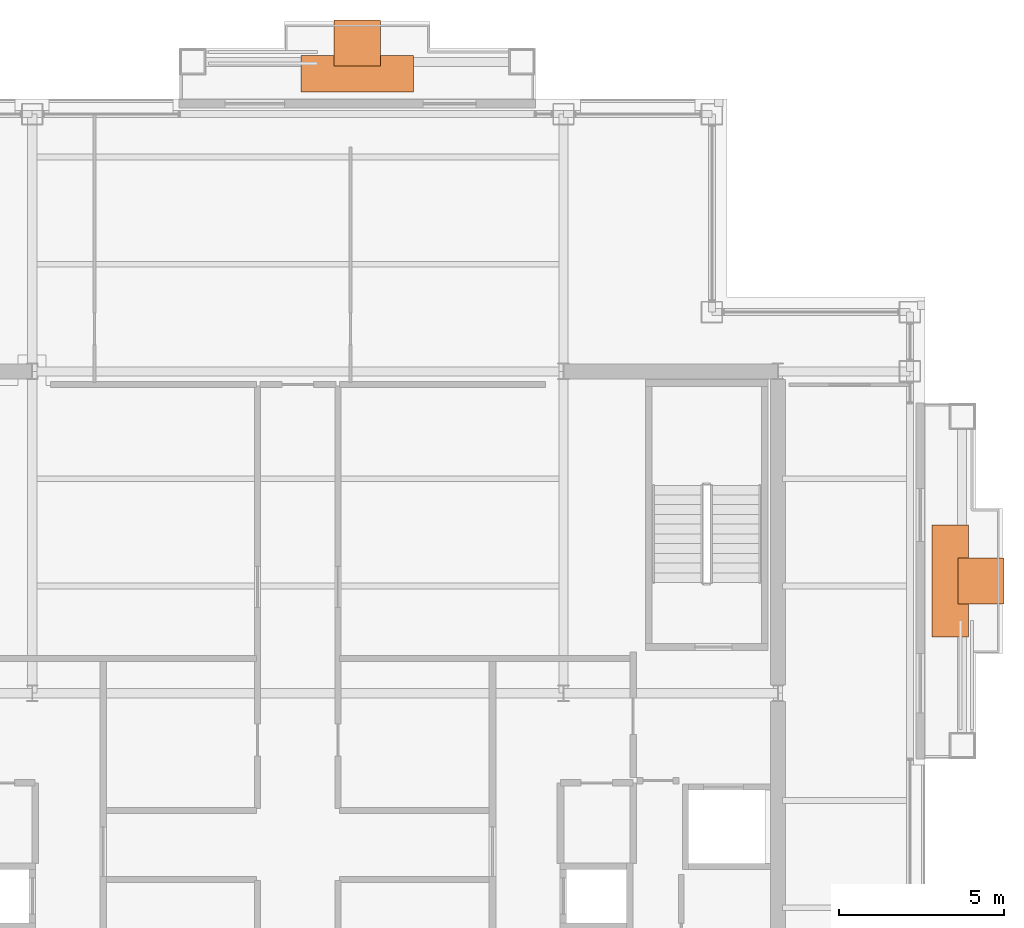
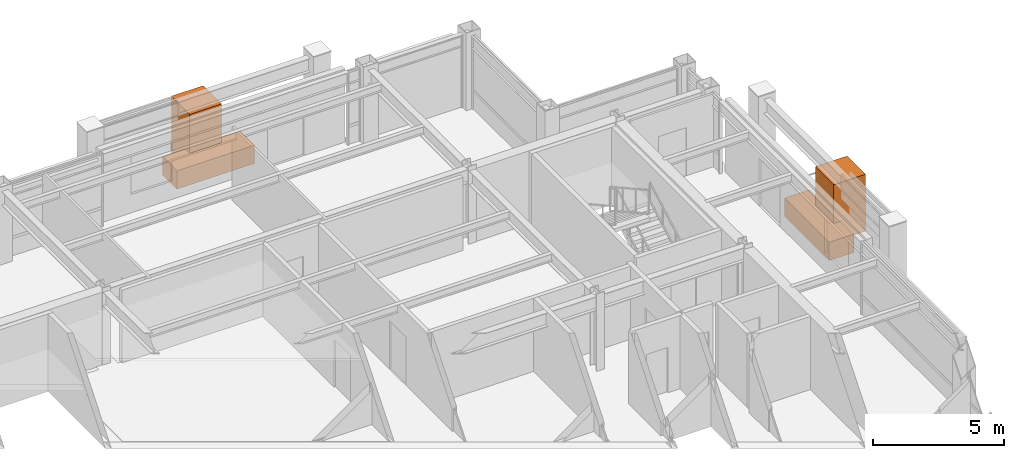
# One storey, part 23 of 23: 4 proxies.
"""IFC4 building model written with IfcOpenShell, lengths in metres."""

from ifc_helpers import new_model, si_unit, direction, frame, origin, origin_2d, place, context, subcontext, project, spatial, rectangle, extrude, material, type_object, element, save


model = new_model("IFC4")

# Units and contexts
model_context = context("Model", 3, precision=1e-05, world=origin(), true_north=direction((0.0, 1.0)))
body_context = subcontext(model_context, "Body", "Model", "MODEL_VIEW")
ifc_project = project(units=[si_unit("LENGTHUNIT", "METRE"), si_unit("AREAUNIT", "SQUARE_METRE"), si_unit("VOLUMEUNIT", "CUBIC_METRE"), si_unit("PLANEANGLEUNIT", "RADIAN"), si_unit("MASSUNIT", "GRAM", prefix="KILO")], contexts=[model_context])

# Site, building, storey
site_placement = place(None, origin())
site = spatial("IfcSite", under=ifc_project, at=site_placement, CompositionType="ELEMENT")
building_placement = place(site_placement, origin())
building = spatial("IfcBuilding", under=site, at=building_placement, Name="Brelmoor Portico Tower", CompositionType="ELEMENT")
storey_placement = place(building_placement, frame((0.0, 0.0, 222.0)))
storey = spatial("IfcBuildingStorey", under=building, at=storey_placement, Name="L58", CompositionType="ELEMENT", Elevation=222.0)

# Proxies
ifc_material_1 = material(Name="Planted Canopy Tree and Soil Rootball", Category="other")
building_element_proxy_type_1 = type_object("IfcBuildingElementProxyType", Name="BALCONY TREE ARBOR", PredefinedType="USERDEFINED", material=ifc_material_1)
for number, where, z_axis, x_axis, name in (
    (1, (1.800048828125, 19.699951171875, 0.0), (0.0, 0.0, 1.0), (1.0, 0.0, 0.0), "L58 Balcony PLANTER Tree Canopy Arbor N"),
    (2, (20.699951171875, 3.39990234375, 0.0), (0.0, 0.0, 1.0), (1.0, 0.0, 0.0), "L58 Balcony PLANTER Tree Canopy Arbor E"),
):
    element("IfcBuildingElementProxy", number, at=place(storey_placement, frame(where, z_axis=z_axis, x_axis=x_axis)), inside=storey, type_object=building_element_proxy_type_1, Name=name, ObjectType="PLANTER", PredefinedType="USERDEFINED", context=body_context, shape_type="SweptSolid", body=[
        extrude(rectangle(XDim=1.39990234375, YDim=1.39990234375, at=origin_2d()), origin(), (0.0, 0.0, 1.0), 2.64990234375),
    ])
ifc_material_2 = material(Name="Architectural Precast Concrete C40", Category="concrete")
building_element_proxy_type_2 = type_object("IfcBuildingElementProxyType", Name="TREE PLANTER", PredefinedType="USERDEFINED", material=ifc_material_2)
for number, where, z_axis, x_axis, name in (
    (3, (1.800048828125, 18.77490234375, 0.0), (0.0, 0.0, 1.0), (1.0, 0.0, 0.0), "L58 Planted Tree Planter N"),
    (4, (19.77490234375, 3.39990234375, 0.0), (0.0, 0.0, 1.0), (0.0, 1.0, 0.0), "L58 Planted Tree Planter E"),
):
    element("IfcBuildingElementProxy", number, at=place(storey_placement, frame(where, z_axis=z_axis, x_axis=x_axis)), inside=storey, type_object=building_element_proxy_type_2, Name=name, ObjectType="PLANTER", PredefinedType="USERDEFINED", context=body_context, shape_type="SweptSolid", body=[
        extrude(rectangle(XDim=3.39990234375, YDim=1.10009765625, at=origin_2d()), origin(), (0.0, 0.0, 1.0), 0.85009765625),
    ])

save(model, "model.ifc")
